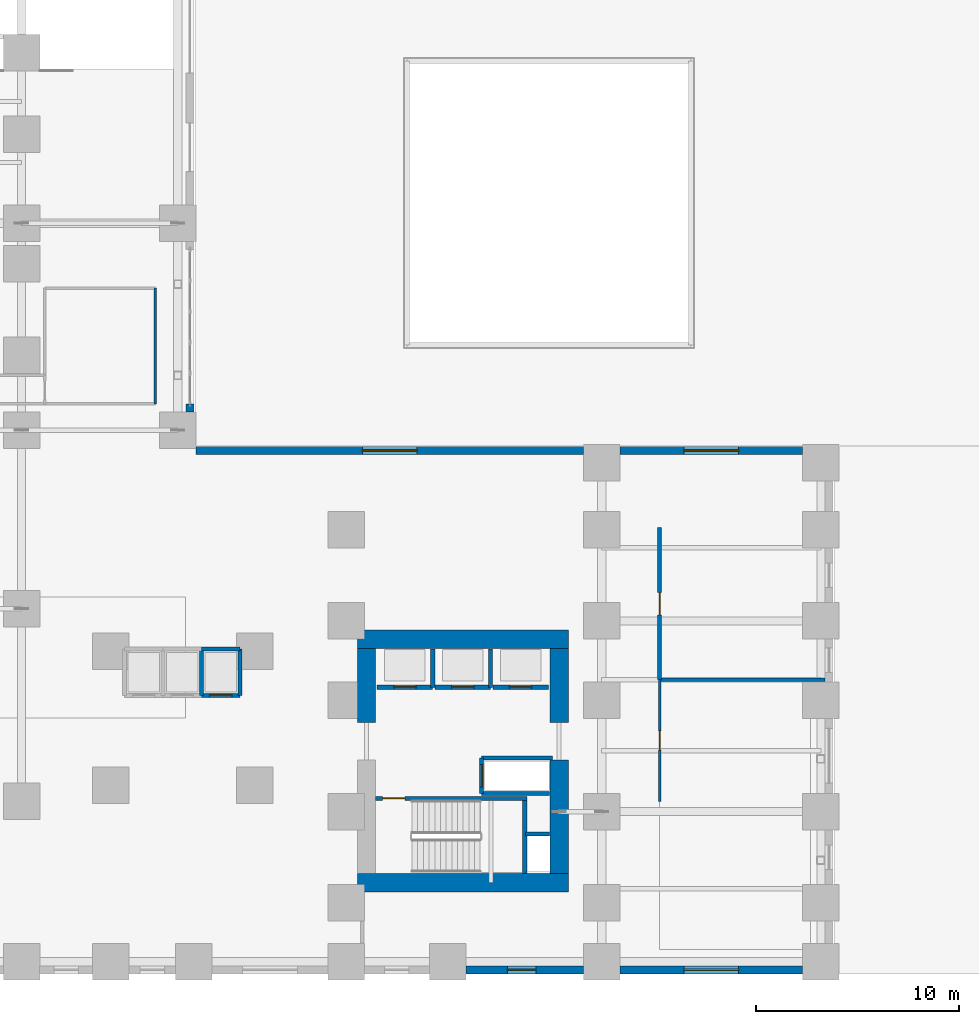
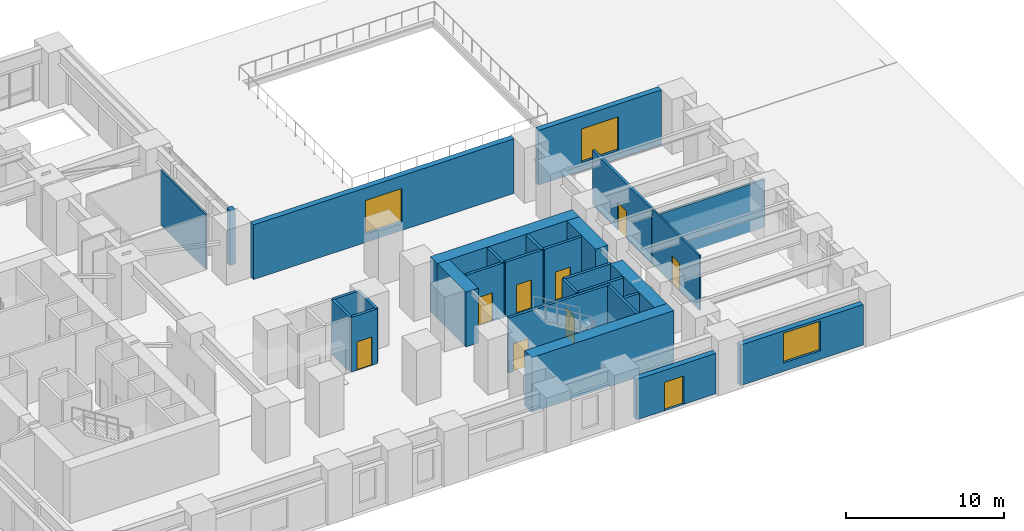
# One storey, part 15 of 23: 29 walls, 9 doors, 3 windows, 12 openings.
"""IFC4 building model written with IfcOpenShell, lengths in metres."""

from ifc_helpers import new_model, si_unit, direction, frame, frame_2d, origin, place, context, subcontext, project, spatial, rectangle, extrude, source, transform, mapped, material, layer, layer_set, type_object, element, fill, save


model = new_model("IFC4")

# Units and contexts
model_context = context("Model", 3, precision=1e-05, world=origin(), true_north=direction((0.0, 1.0)))
body_context = subcontext(model_context, "Body", "Model", "MODEL_VIEW")
ifc_project = project(units=[si_unit("LENGTHUNIT", "METRE"), si_unit("AREAUNIT", "SQUARE_METRE"), si_unit("VOLUMEUNIT", "CUBIC_METRE"), si_unit("PLANEANGLEUNIT", "RADIAN"), si_unit("MASSUNIT", "GRAM", prefix="KILO")], contexts=[model_context])

# Site, building, storey
site_placement = place(None, origin())
site = spatial("IfcSite", under=ifc_project, at=site_placement, CompositionType="ELEMENT")
building_placement = place(site_placement, origin())
building = spatial("IfcBuilding", under=site, at=building_placement, Name="Kharzan Plaza Tower", CompositionType="ELEMENT")
storey_placement = place(building_placement, origin())
storey = spatial("IfcBuildingStorey", under=building, at=storey_placement, Name="L00", CompositionType="ELEMENT", Elevation=0.0)

# Wall, opening, door
ifc_material_1 = material(Name="Concrete C40/50", Category="concrete")
ifc_layer_1 = layer(ifc_material_1, 0.179931640625)
ifc_layer_set_1 = layer_set([ifc_layer_1], Name="Concrete C40/50")
wall_type_1 = type_object("IfcWallType", Name="WL-INT-FIRE-180", PredefinedType="PARTITIONING", material=ifc_layer_set_1)
wall_1_placement = place(storey_placement, frame((50.449951171875, 14.5, 0.0), z_axis=(0.0, 0.0, 1.0), x_axis=(0.0, 1.0, 0.0)))
wall_1 = element("IfcWall", 1, at=wall_1_placement, inside=storey, type_object=wall_type_1, Name="L00 Interior Partition L00-WSEC", PredefinedType="PARTITIONING", context=body_context, shape_type="SweptSolid", body=[
    extrude(rectangle(XDim=7.5, YDim=0.179931640625, at=frame_2d((3.75, 0.0))), origin(), (0.0, 0.0, 1.0), 4.235107421875),
])
opening_1_placement = place(wall_1_placement, frame((3.199951171875, 0.0, 0.0)))
opening_1 = element("IfcOpeningElement", 2, at=opening_1_placement, cuts=wall_1, Name="Opening FD1", PredefinedType="OPENING", context=body_context, shape_type="SweptSolid", body=[
    extrude(rectangle(XDim=1.10009765625, YDim=2.14990234375, at=frame_2d((0.550048828125, 1.074951171875))), frame((0.0, 0.099853515625, 0.0), z_axis=(0.0, -1.0, 0.0), x_axis=(1.0, 0.0, 0.0)), (0.0, 0.0, 1.0), 0.199951171875),
])
ifc_material_2 = material(Name="Fire-Rated Acoustic Vision-Panel Steel", Category="steel")
door_type_1 = type_object("IfcDoorType", Name="DR-FIRE-LOBBY", OperationType="NOTDEFINED", PredefinedType="DOOR", material=ifc_material_2)
shared_shape_1 = source(origin(), body_context, "Body", "SweptSolid", [
    extrude(rectangle(XDim=1.10009765625, YDim=2.14990234375, at=frame_2d((0.550048828125, 1.074951171875))), frame((0.0, 0.02490234375, 0.0), z_axis=(0.0, -1.0, 0.0), x_axis=(1.0, 0.0, 0.0)), (0.0, 0.0, 1.0), 0.050048828125),
])
door_1_placement = place(opening_1_placement, origin())
door_1 = element("IfcDoor", 3, at=door_1_placement, inside=storey, type_object=door_type_1, Name="L00 Fire Command Center Door", OperationType="SINGLE_SWING_RIGHT", OverallHeight=2.14990234375, OverallWidth=1.10009765625, PredefinedType="DOOR", context=body_context, shape_type="MappedRepresentation", body=[
    mapped(shared_shape_1, transform((0.0, 0.0, 0.0), x_axis=(1.0, 0.0, 0.0), y_axis=(0.0, 1.0, 0.0), z_axis=(0.0, 0.0, 1.0))),
])
fill(opening_1, door_1)

ifc_material_3 = material(Name="Fire-Rated Gypsum Board Partition", Category="gypsum")
ifc_layer_2 = layer(ifc_material_3, 0.125)
ifc_layer_set_2 = layer_set([ifc_layer_2], Name="Fire-Rated Gypsum Board Partition")
wall_type_2 = type_object("IfcWallType", Name="WL-INT-PART-125", PredefinedType="PARTITIONING", material=ifc_layer_set_2)
wall_2_placement = place(storey_placement, frame((50.449951171875, 8.5, 0.0), z_axis=(0.0, 0.0, 1.0), x_axis=(0.0, 1.0, 0.0)))
wall_2 = element("IfcWall", 4, at=wall_2_placement, inside=storey, type_object=wall_type_2, Name="L00 Interior Partition L00-WRET", PredefinedType="PARTITIONING", context=body_context, shape_type="SweptSolid", body=[
    extrude(rectangle(XDim=6.0, YDim=0.125, at=frame_2d((3.0, 0.0))), origin(), (0.0, 0.0, 1.0), 4.235107421875),
])
opening_2_placement = place(wall_2_placement, frame((2.52490234375, 0.0, 0.0)))
opening_2 = element("IfcOpeningElement", 5, at=opening_2_placement, cuts=wall_2, Name="Opening OD1", PredefinedType="OPENING", context=body_context, shape_type="SweptSolid", body=[
    extrude(rectangle(XDim=0.949951171875, YDim=2.14990234375, at=frame_2d((0.47509765625, 1.074951171875))), frame((0.0, 0.072509765625, 0.0), z_axis=(0.0, -1.0, 0.0), x_axis=(1.0, 0.0, 0.0)), (0.0, 0.0, 1.0), 0.14501953125),
])
ifc_material_4 = material(Name="Acoustic Solid-Core Stained Oak", Category="timber")
door_type_2 = type_object("IfcDoorType", Name="DR-OFF-SINGLE", OperationType="NOTDEFINED", PredefinedType="DOOR", material=ifc_material_4)
shared_shape_2 = source(origin(), body_context, "Body", "SweptSolid", [
    extrude(rectangle(XDim=0.949951171875, YDim=2.14990234375, at=frame_2d((0.47509765625, 1.074951171875))), frame((0.0, 0.02490234375, 0.0), z_axis=(0.0, -1.0, 0.0), x_axis=(1.0, 0.0, 0.0)), (0.0, 0.0, 1.0), 0.050048828125),
])
door_2_placement = place(opening_2_placement, origin())
door_2 = element("IfcDoor", 6, at=door_2_placement, inside=storey, type_object=door_type_2, Name="L00 Retail Gallery Door", OperationType="SINGLE_SWING_LEFT", OverallHeight=2.14990234375, OverallWidth=0.949951171875, PredefinedType="DOOR", context=body_context, shape_type="MappedRepresentation", body=[
    mapped(shared_shape_2, transform((0.0, 0.0, 0.0), x_axis=(1.0, 0.0, 0.0), y_axis=(0.0, 1.0, 0.0), z_axis=(0.0, 0.0, 1.0))),
])
fill(opening_2, door_2)

ifc_layer_3 = layer(ifc_material_1, 0.199951171875)
ifc_layer_set_3 = layer_set([ifc_layer_3], Name="Concrete C40/50")
wall_type_3 = type_object("IfcWallType", Name="WL-INT-SHAFT-200", PredefinedType="PARTITIONING", material=ifc_layer_set_3)
wall_3_placement = place(storey_placement, frame((36.530029296875, 14.1298828125, 0.0), z_axis=(0.0, 0.0, 1.0), x_axis=(1.0, 0.0, 0.0)))
wall_3 = element("IfcWall", 7, at=wall_3_placement, inside=storey, type_object=wall_type_3, Name="L00 Interior Partition SHF-PL-L1-S", PredefinedType="PARTITIONING", context=body_context, shape_type="SweptSolid", body=[
    extrude(rectangle(XDim=2.739990234375, YDim=0.199951171875, at=frame_2d((1.3701171875, 0.0))), origin(), (0.0, 0.0, 1.0), 4.235107421875),
])
opening_3_placement = place(wall_3_placement, frame((0.820068359375, 0.0, 0.0)))
opening_3 = element("IfcOpeningElement", 8, at=opening_3_placement, cuts=wall_3, Name="Opening LD", PredefinedType="OPENING", context=body_context, shape_type="SweptSolid", body=[
    extrude(rectangle(XDim=1.10009765625, YDim=2.199951171875, at=frame_2d((0.550048828125, 1.10009765625))), frame((0.0, 0.10986328125, 0.0), z_axis=(0.0, -1.0, 0.0), x_axis=(1.0, 0.0, 0.0)), (0.0, 0.0, 1.0), 0.219970703125),
])
ifc_material_5 = material(Name="Brushed Stainless Steel", Category="steel")
door_type_3 = type_object("IfcDoorType", Name="DR-LIFT-SLIDE", OperationType="SLIDING_TO_LEFT", PredefinedType="DOOR", material=ifc_material_5)
shared_shape_3 = source(origin(), body_context, "Body", "SweptSolid", [
    extrude(rectangle(XDim=1.10009765625, YDim=2.199951171875, at=frame_2d((0.550048828125, 1.10009765625))), frame((0.0, 0.02490234375, 0.0), z_axis=(0.0, -1.0, 0.0), x_axis=(1.0, 0.0, 0.0)), (0.0, 0.0, 1.0), 0.050048828125),
])
door_3_placement = place(opening_3_placement, origin())
door_3 = element("IfcDoor", 9, at=door_3_placement, inside=storey, type_object=door_type_3, Name="L00 Low-Rise Passenger Lift PL-L1 Sliding Landing Door", OperationType="SLIDING_TO_LEFT", OverallHeight=2.199951171875, OverallWidth=1.10009765625, PredefinedType="DOOR", context=body_context, shape_type="MappedRepresentation", body=[
    mapped(shared_shape_3, transform((0.0, 0.0, 0.0), x_axis=(1.0, 0.0, 0.0), y_axis=(0.0, 1.0, 0.0), z_axis=(0.0, 0.0, 1.0))),
])
fill(opening_3, door_3)

wall_4_placement = place(storey_placement, frame((39.3798828125, 14.1298828125, 0.0), z_axis=(0.0, 0.0, 1.0), x_axis=(1.0, 0.0, 0.0)))
wall_4 = element("IfcWall", 10, at=wall_4_placement, inside=storey, type_object=wall_type_3, Name="L00 Interior Partition SHF-PL-L2-S", PredefinedType="PARTITIONING", context=body_context, shape_type="SweptSolid", body=[
    extrude(rectangle(XDim=2.740234375, YDim=0.199951171875, at=frame_2d((1.3701171875, 0.0))), origin(), (0.0, 0.0, 1.0), 4.235107421875),
])
opening_4_placement = place(wall_4_placement, frame((0.820068359375, 0.0, 0.0)))
opening_4 = element("IfcOpeningElement", 11, at=opening_4_placement, cuts=wall_4, Name="Opening LD", PredefinedType="OPENING", context=body_context, shape_type="SweptSolid", body=[
    extrude(rectangle(XDim=1.10009765625, YDim=2.199951171875, at=frame_2d((0.550048828125, 1.10009765625))), frame((0.0, 0.10986328125, 0.0), z_axis=(0.0, -1.0, 0.0), x_axis=(1.0, 0.0, 0.0)), (0.0, 0.0, 1.0), 0.219970703125),
])
door_4_placement = place(opening_4_placement, origin())
door_4 = element("IfcDoor", 12, at=door_4_placement, inside=storey, type_object=door_type_3, Name="L00 Low-Rise Passenger Lift PL-L2 Sliding Landing Door", OperationType="SLIDING_TO_LEFT", OverallHeight=2.199951171875, OverallWidth=1.10009765625, PredefinedType="DOOR", context=body_context, shape_type="MappedRepresentation", body=[
    mapped(shared_shape_3, transform((0.0, 0.0, 0.0), x_axis=(1.0, 0.0, 0.0), y_axis=(0.0, 1.0, 0.0), z_axis=(0.0, 0.0, 1.0))),
])
fill(opening_4, door_4)

wall_5_placement = place(storey_placement, frame((42.22998046875, 14.1298828125, 0.0), z_axis=(0.0, 0.0, 1.0), x_axis=(1.0, 0.0, 0.0)))
wall_5 = element("IfcWall", 13, at=wall_5_placement, inside=storey, type_object=wall_type_3, Name="L00 Interior Partition SHF-PL-L3-S", PredefinedType="PARTITIONING", context=body_context, shape_type="SweptSolid", body=[
    extrude(rectangle(XDim=2.739990234375, YDim=0.199951171875, at=frame_2d((1.3701171875, 0.0))), origin(), (0.0, 0.0, 1.0), 4.235107421875),
])
opening_5_placement = place(wall_5_placement, frame((0.820068359375, 0.0, 0.0)))
opening_5 = element("IfcOpeningElement", 14, at=opening_5_placement, cuts=wall_5, Name="Opening LD", PredefinedType="OPENING", context=body_context, shape_type="SweptSolid", body=[
    extrude(rectangle(XDim=1.10009765625, YDim=2.199951171875, at=frame_2d((0.550048828125, 1.10009765625))), frame((0.0, 0.10986328125, 0.0), z_axis=(0.0, -1.0, 0.0), x_axis=(1.0, 0.0, 0.0)), (0.0, 0.0, 1.0), 0.219970703125),
])
door_5_placement = place(opening_5_placement, origin())
door_5 = element("IfcDoor", 15, at=door_5_placement, inside=storey, type_object=door_type_3, Name="L00 Low-Rise Passenger Lift PL-L3 Sliding Landing Door", OperationType="SLIDING_TO_LEFT", OverallHeight=2.199951171875, OverallWidth=1.10009765625, PredefinedType="DOOR", context=body_context, shape_type="MappedRepresentation", body=[
    mapped(shared_shape_3, transform((0.0, 0.0, 0.0), x_axis=(1.0, 0.0, 0.0), y_axis=(0.0, 1.0, 0.0), z_axis=(0.0, 0.0, 1.0))),
])
fill(opening_5, door_5)

wall_6_placement = place(storey_placement, frame((27.8798828125, 13.72998046875, 0.0), z_axis=(0.0, 0.0, 1.0), x_axis=(1.0, 0.0, 0.0)))
wall_6 = element("IfcWall", 16, at=wall_6_placement, inside=storey, type_object=wall_type_3, Name="L00 Interior Partition SHF-PL-M3-S", PredefinedType="PARTITIONING", context=body_context, shape_type="SweptSolid", body=[
    extrude(rectangle(XDim=1.89013671875, YDim=0.199951171875, at=frame_2d((0.945068359375, 0.0))), origin(), (0.0, 0.0, 1.0), 4.235107421875),
])
opening_6_placement = place(wall_6_placement, frame((0.39501953125, 0.0, 0.0)))
opening_6 = element("IfcOpeningElement", 17, at=opening_6_placement, cuts=wall_6, Name="Opening LD", PredefinedType="OPENING", context=body_context, shape_type="SweptSolid", body=[
    extrude(rectangle(XDim=1.10009765625, YDim=2.199951171875, at=frame_2d((0.550048828125, 1.10009765625))), frame((0.0, 0.10986328125, 0.0), z_axis=(0.0, -1.0, 0.0), x_axis=(1.0, 0.0, 0.0)), (0.0, 0.0, 1.0), 0.219970703125),
])
door_6_placement = place(opening_6_placement, origin())
door_6 = element("IfcDoor", 18, at=door_6_placement, inside=storey, type_object=door_type_3, Name="L00 Mid-Rise Passenger Lift PL-M3 Sliding Landing Door", OperationType="SLIDING_TO_LEFT", OverallHeight=2.199951171875, OverallWidth=1.10009765625, PredefinedType="DOOR", context=body_context, shape_type="MappedRepresentation", body=[
    mapped(shared_shape_3, transform((0.0, 0.0, 0.0), x_axis=(1.0, 0.0, 0.0), y_axis=(0.0, 1.0, 0.0), z_axis=(0.0, 0.0, 1.0))),
])
fill(opening_6, door_6)

wall_7_placement = place(storey_placement, frame((41.679931640625, 8.89990234375, 0.0), z_axis=(0.0, 0.0, 1.0), x_axis=(0.0, 1.0, 0.0)))
wall_7 = element("IfcWall", 19, at=wall_7_placement, inside=storey, type_object=wall_type_3, Name="L00 Interior Partition SHF-SVL-2-W", PredefinedType="PARTITIONING", context=body_context, shape_type="SweptSolid", body=[
    extrude(rectangle(XDim=1.739990234375, YDim=0.199951171875, at=frame_2d((0.8701171875, 0.0))), origin(), (0.0, 0.0, 1.0), 4.235107421875),
])
opening_7_placement = place(wall_7_placement, frame((0.320068359375, 0.0, 0.0)))
opening_7 = element("IfcOpeningElement", 20, at=opening_7_placement, cuts=wall_7, Name="Opening LD", PredefinedType="OPENING", context=body_context, shape_type="SweptSolid", body=[
    extrude(rectangle(XDim=1.10009765625, YDim=2.199951171875, at=frame_2d((0.550048828125, 1.10009765625))), frame((0.0, 0.10986328125, 0.0), z_axis=(0.0, -1.0, 0.0), x_axis=(1.0, 0.0, 0.0)), (0.0, 0.0, 1.0), 0.219970703125),
])
door_7_placement = place(opening_7_placement, origin())
door_7 = element("IfcDoor", 21, at=door_7_placement, inside=storey, type_object=door_type_3, Name="L00 Service Lift SVL-2 Sliding Landing Door", OperationType="SLIDING_TO_LEFT", OverallHeight=2.199951171875, OverallWidth=1.10009765625, PredefinedType="DOOR", context=body_context, shape_type="MappedRepresentation", body=[
    mapped(shared_shape_3, transform((0.0, 0.0, 0.0), x_axis=(1.0, 0.0, 0.0), y_axis=(0.0, 1.0, 0.0), z_axis=(0.0, 0.0, 1.0))),
])
fill(opening_7, door_7)

# Wall, opening, window
ifc_layer_4 = layer(ifc_material_1, 0.39990234375)
ifc_layer_set_4 = layer_set([ifc_layer_4], Name="Concrete C40/50")
wall_type_4 = type_object("IfcWallType", Name="WL-POD-MAS-400", PredefinedType="SOLIDWALL", material=ifc_layer_set_4)
wall_8_placement = place(storey_placement, frame((57.501953125, 25.800048828125, 0.0), z_axis=(0.0, 0.0, 1.0), x_axis=(-1.0, 0.0, 0.0)))
wall_8 = element("IfcWall", 22, at=wall_8_placement, inside=storey, type_object=wall_type_4, Name="L00 Masonry-Frame Exterior Wall 01", PredefinedType="SOLIDWALL", context=body_context, shape_type="SweptSolid", body=[
    extrude(rectangle(XDim=9.00390625, YDim=0.39990234375, at=frame_2d((4.501953125, 0.0))), origin(), (0.0, 0.0, 1.0), 4.235107421875),
])
opening_8_placement = place(wall_8_placement, frame((3.152099609375, 0.0, 0.64990234375)))
opening_8 = element("IfcOpeningElement", 23, at=opening_8_placement, cuts=wall_8, Name="Opening W4", PredefinedType="OPENING", context=body_context, shape_type="SweptSolid", body=[
    extrude(rectangle(XDim=2.699951171875, YDim=2.60009765625, at=frame_2d((1.35009765625, 1.300048828125))), frame((0.0, 0.2099609375, 0.0), z_axis=(0.0, -1.0, 0.0), x_axis=(1.0, 0.0, 0.0)), (0.0, 0.0, 1.0), 0.419921875),
])
ifc_material_6 = material(Name="Low-E Double Glazing", Category="glass")
window_type = type_object("IfcWindowType", Name="WN-POD-2700x2600", PartitioningType="SINGLE_PANEL", PredefinedType="WINDOW", material=ifc_material_6)
shared_shape_4 = source(origin(), body_context, "Body", "SweptSolid", [
    extrude(rectangle(XDim=2.699951171875, YDim=2.60009765625, at=frame_2d((1.35009765625, 1.300048828125))), frame((0.0, 0.030029296875, 0.0), z_axis=(0.0, -1.0, 0.0), x_axis=(1.0, 0.0, 0.0)), (0.0, 0.0, 1.0), 0.06005859375),
])
window_1_placement = place(opening_8_placement, origin())
window_1 = element("IfcWindow", 24, at=window_1_placement, inside=storey, type_object=window_type, Name="L00 Recessed Solar-Control Window 01-1", OverallHeight=2.60009765625, OverallWidth=2.699951171875, PartitioningType="SINGLE_PANEL", PredefinedType="WINDOW", context=body_context, shape_type="MappedRepresentation", body=[
    mapped(shared_shape_4, transform((0.0, 0.0, 0.0), x_axis=(1.0, 0.0, 0.0), y_axis=(0.0, 1.0, 0.0), z_axis=(0.0, 0.0, 1.0))),
])
fill(opening_8, window_1)

wall_9_placement = place(storey_placement, frame((46.701904296875, 25.800048828125, 0.0), z_axis=(0.0, 0.0, 1.0), x_axis=(-1.0, 0.0, 0.0)))
wall_9 = element("IfcWall", 25, at=wall_9_placement, inside=storey, type_object=wall_type_4, Name="L00 Masonry-Frame Exterior Wall 02", PredefinedType="SOLIDWALL", context=body_context, shape_type="SweptSolid", body=[
    extrude(rectangle(XDim=19.10400390625, YDim=0.39990234375, at=frame_2d((9.552001953125, 0.0))), origin(), (0.0, 0.0, 1.0), 4.235107421875),
])
opening_9_placement = place(wall_9_placement, frame((8.201904296875, 0.0, 0.64990234375)))
opening_9 = element("IfcOpeningElement", 26, at=opening_9_placement, cuts=wall_9, Name="Opening W4", PredefinedType="OPENING", context=body_context, shape_type="SweptSolid", body=[
    extrude(rectangle(XDim=2.699951171875, YDim=2.60009765625, at=frame_2d((1.35009765625, 1.300048828125))), frame((0.0, 0.2099609375, 0.0), z_axis=(0.0, -1.0, 0.0), x_axis=(1.0, 0.0, 0.0)), (0.0, 0.0, 1.0), 0.419921875),
])
window_2_placement = place(opening_9_placement, origin())
window_2 = element("IfcWindow", 27, at=window_2_placement, inside=storey, type_object=window_type, Name="L00 Recessed Solar-Control Window 02-1", OverallHeight=2.60009765625, OverallWidth=2.699951171875, PartitioningType="SINGLE_PANEL", PredefinedType="WINDOW", context=body_context, shape_type="MappedRepresentation", body=[
    mapped(shared_shape_4, transform((0.0, 0.0, 0.0), x_axis=(1.0, 0.0, 0.0), y_axis=(0.0, 1.0, 0.0), z_axis=(0.0, 0.0, 1.0))),
])
fill(opening_9, window_2)

# Wall, opening, door
wall_10_placement = place(storey_placement, frame((40.89794921875, 0.199951171875, 0.0), z_axis=(0.0, 0.0, 1.0), x_axis=(1.0, 0.0, 0.0)))
wall_10 = element("IfcWall", 28, at=wall_10_placement, inside=storey, type_object=wall_type_4, Name="L00 Masonry-Frame Exterior Wall 22", PredefinedType="SOLIDWALL", context=body_context, shape_type="SweptSolid", body=[
    extrude(rectangle(XDim=5.803955078125, YDim=0.39990234375, at=frame_2d((2.90185546875, 0.0))), origin(), (0.0, 0.0, 1.0), 3.135009765625),
])
opening_10_placement = place(wall_10_placement, frame((2.052001953125, 0.0, 0.0)))
opening_10 = element("IfcOpeningElement", 29, at=opening_10_placement, cuts=wall_10, Name="Opening ED4", PredefinedType="OPENING", context=body_context, shape_type="SweptSolid", body=[
    extrude(rectangle(XDim=1.39990234375, YDim=2.199951171875, at=frame_2d((0.699951171875, 1.10009765625))), frame((0.0, 0.2099609375, 0.0), z_axis=(0.0, -1.0, 0.0), x_axis=(1.0, 0.0, 0.0)), (0.0, 0.0, 1.0), 0.419921875),
])
ifc_material_7 = material(Name="Galvanized Acoustic Hollow Steel", Category="steel")
door_type_4 = type_object("IfcDoorType", Name="DR-EXT-EXIT-1400", OperationType="SINGLE_SWING_RIGHT", PredefinedType="DOOR", material=ifc_material_7)
shared_shape_5 = source(origin(), body_context, "Body", "SweptSolid", [
    extrude(rectangle(XDim=1.39990234375, YDim=2.199951171875, at=frame_2d((0.699951171875, 1.10009765625))), frame((0.0, 0.02490234375, 0.0), z_axis=(0.0, -1.0, 0.0), x_axis=(1.0, 0.0, 0.0)), (0.0, 0.0, 1.0), 0.050048828125),
])
door_8_placement = place(opening_10_placement, frame((1.39990234375, 0.0, 0.0), z_axis=(0.0, 0.0, 1.0), x_axis=(-1.0, 0.0, 0.0)))
door_8 = element("IfcDoor", 30, at=door_8_placement, inside=storey, type_object=door_type_4, Name="L00 Stair ST-3 Protected South Final Exit Door", OperationType="SINGLE_SWING_RIGHT", OverallHeight=2.199951171875, OverallWidth=1.39990234375, PredefinedType="DOOR", context=body_context, shape_type="MappedRepresentation", body=[
    mapped(shared_shape_5, transform((0.0, 0.0, 0.0), x_axis=(1.0, 0.0, 0.0), y_axis=(0.0, 1.0, 0.0), z_axis=(0.0, 0.0, 1.0))),
])
fill(opening_10, door_8)

# Wall, opening, window
wall_11_placement = place(storey_placement, frame((48.498046875, 0.199951171875, 0.0), z_axis=(0.0, 0.0, 1.0), x_axis=(1.0, 0.0, 0.0)))
wall_11 = element("IfcWall", 31, at=wall_11_placement, inside=storey, type_object=wall_type_4, Name="L00 Masonry-Frame Exterior Wall 23", PredefinedType="SOLIDWALL", context=body_context, shape_type="SweptSolid", body=[
    extrude(rectangle(XDim=9.00390625, YDim=0.39990234375, at=frame_2d((4.501953125, 0.0))), origin(), (0.0, 0.0, 1.0), 3.135009765625),
])
opening_11_placement = place(wall_11_placement, frame((3.152099609375, 0.0, 0.64990234375)))
opening_11 = element("IfcOpeningElement", 32, at=opening_11_placement, cuts=wall_11, Name="Opening W4", PredefinedType="OPENING", context=body_context, shape_type="SweptSolid", body=[
    extrude(rectangle(XDim=2.699951171875, YDim=2.304931640625, at=frame_2d((1.35009765625, 1.15234375))), frame((0.0, 0.2099609375, 0.0), z_axis=(0.0, -1.0, 0.0), x_axis=(1.0, 0.0, 0.0)), (0.0, 0.0, 1.0), 0.419921875),
])
shared_shape_6 = source(origin(), body_context, "Body", "SweptSolid", [
    extrude(rectangle(XDim=2.699951171875, YDim=2.304931640625, at=frame_2d((1.35009765625, 1.15234375))), frame((0.0, 0.030029296875, 0.0), z_axis=(0.0, -1.0, 0.0), x_axis=(1.0, 0.0, 0.0)), (0.0, 0.0, 1.0), 0.06005859375),
])
window_3_placement = place(opening_11_placement, origin())
window_3 = element("IfcWindow", 33, at=window_3_placement, inside=storey, type_object=window_type, Name="L00 Recessed Solar-Control Window 23-1", OverallHeight=2.304931640625, OverallWidth=2.699951171875, PartitioningType="SINGLE_PANEL", PredefinedType="WINDOW", context=body_context, shape_type="MappedRepresentation", body=[
    mapped(shared_shape_6, transform((0.0, 0.0, 0.0), x_axis=(1.0, 0.0, 0.0), y_axis=(0.0, 1.0, 0.0), z_axis=(0.0, 0.0, 1.0))),
])
fill(opening_11, window_3)

# Wall, opening, door
ifc_material_8 = material(Name="Concrete C50/60", Category="concrete")
ifc_layer_5 = layer(ifc_material_8, 0.199951171875)
ifc_layer_set_5 = layer_set([ifc_layer_5], Name="Concrete C50/60")
wall_type_5 = type_object("IfcWallType", Name="WL-SHAFT-RC200", PredefinedType="SHEAR", material=ifc_layer_set_5)
wall_12_placement = place(storey_placement, frame((36.451904296875, 8.655029296875, 0.0), z_axis=(0.0, 0.0, 1.0), x_axis=(1.0, 0.0, 0.0)))
wall_12 = element("IfcWall", 34, at=wall_12_placement, inside=storey, type_object=wall_type_5, Name="L00 Stair ST-3 North RC Shaft Wall", PredefinedType="SHEAR", context=body_context, shape_type="SweptSolid", body=[
    extrude(rectangle(XDim=7.453125, YDim=0.199951171875, at=frame_2d((3.7265625, 0.0))), origin(), (0.0, 0.0, 1.0), 4.25),
])
opening_12_placement = place(wall_12_placement, frame((0.35009765625, 0.0, 0.0)))
opening_12 = element("IfcOpeningElement", 35, at=opening_12_placement, cuts=wall_12, Name="Opening SD1", PredefinedType="OPENING", context=body_context, shape_type="SweptSolid", body=[
    extrude(rectangle(XDim=1.10009765625, YDim=2.14990234375, at=frame_2d((0.550048828125, 1.074951171875))), frame((0.0, 0.10986328125, 0.0), z_axis=(0.0, -1.0, 0.0), x_axis=(1.0, 0.0, 0.0)), (0.0, 0.0, 1.0), 0.219970703125),
])
ifc_material_9 = material(Name="Fire-Rated Hollow Galvanized Steel", Category="steel")
door_type_5 = type_object("IfcDoorType", Name="DR-STAIR-FD120", OperationType="NOTDEFINED", PredefinedType="DOOR", material=ifc_material_9)
shared_shape_7 = source(origin(), body_context, "Body", "SweptSolid", [
    extrude(rectangle(XDim=1.10009765625, YDim=2.14990234375, at=frame_2d((0.550048828125, 1.074951171875))), frame((0.0, 0.02490234375, 0.0), z_axis=(0.0, -1.0, 0.0), x_axis=(1.0, 0.0, 0.0)), (0.0, 0.0, 1.0), 0.050048828125),
])
door_9_placement = place(opening_12_placement, origin())
door_9 = element("IfcDoor", 36, at=door_9_placement, inside=storey, type_object=door_type_5, Name="L00 Stair ST-3 Fire Exit Door", OperationType="SINGLE_SWING_RIGHT", OverallHeight=2.14990234375, OverallWidth=1.10009765625, PredefinedType="DOOR", context=body_context, shape_type="MappedRepresentation", body=[
    mapped(shared_shape_7, transform((0.0, 0.0, 0.0), x_axis=(1.0, 0.0, 0.0), y_axis=(0.0, 1.0, 0.0), z_axis=(0.0, 0.0, 1.0))),
])
fill(opening_12, door_9)

# Walls
ifc_material_10 = material(Name="Concrete C60/75", Category="concrete")
ifc_layer_6 = layer(ifc_material_10, 0.89990234375)
ifc_layer_set_6 = layer_set([ifc_layer_6], Name="Concrete C60/75")
wall_type_6 = type_object("IfcWallType", Name="WL-CORE-900", PredefinedType="SHEAR", material=ifc_layer_set_6)
shared_shape_8 = source(origin(), body_context, "Body", "SweptSolid", [
    extrude(rectangle(XDim=5.60009765625, YDim=0.89990234375, at=frame_2d((2.800048828125, 0.0))), origin(), (0.0, 0.0, 1.0), 4.25),
])
wall_13_placement = place(storey_placement, frame((45.5, 4.949951171875, 0.0), z_axis=(0.0, 0.0, 1.0), x_axis=(0.0, 1.0, 0.0)))
element("IfcWall", 37, at=wall_13_placement, inside=storey, type_object=wall_type_6, Name="L00 CORE-B east shear pier 1", PredefinedType="SHEAR", context=body_context, shape_type="MappedRepresentation", body=[
    mapped(shared_shape_8, transform((0.0, 0.0, 0.0), x_axis=(1.0, 0.0, 0.0), y_axis=(0.0, 1.0, 0.0), z_axis=(0.0, 0.0, 1.0))),
])
shared_shape_9 = source(origin(), body_context, "Body", "SweptSolid", [
    extrude(rectangle(XDim=3.650146484375, YDim=0.89990234375, at=frame_2d((1.8251953125, 0.0))), origin(), (0.0, 0.0, 1.0), 4.25),
])
for number, where, z_axis, x_axis, name in (
    (38, (45.5, 12.39990234375, 0.0), (0.0, 0.0, 1.0), (0.0, 1.0, 0.0), "L00 CORE-B east shear pier 2"),
    (39, (36.0, 12.39990234375, 0.0), (0.0, 0.0, 1.0), (0.0, 1.0, 0.0), "L00 CORE-B west shear pier 2"),
):
    element("IfcWall", number, at=place(storey_placement, frame(where, z_axis=z_axis, x_axis=x_axis)), inside=storey, type_object=wall_type_6, Name=name, PredefinedType="SHEAR", context=body_context, shape_type="MappedRepresentation", body=[
        mapped(shared_shape_9, transform((0.0, 0.0, 0.0), x_axis=(1.0, 0.0, 0.0), y_axis=(0.0, 1.0, 0.0), z_axis=(0.0, 0.0, 1.0))),
    ])
shared_shape_10 = source(origin(), body_context, "Body", "SweptSolid", [
    extrude(rectangle(XDim=10.39990234375, YDim=0.89990234375, at=frame_2d((5.199951171875, 0.0))), origin(), (0.0, 0.0, 1.0), 4.25),
])
for number, where, z_axis, x_axis, name in (
    (40, (35.550048828125, 16.5, 0.0), (0.0, 0.0, 1.0), (1.0, 0.0, 0.0), "L00 CORE-B north RC shear wall"),
    (41, (35.550048828125, 4.5, 0.0), (0.0, 0.0, 1.0), (1.0, 0.0, 0.0), "L00 CORE-B south RC shear wall"),
):
    element("IfcWall", number, at=place(storey_placement, frame(where, z_axis=z_axis, x_axis=x_axis)), inside=storey, type_object=wall_type_6, Name=name, PredefinedType="SHEAR", context=body_context, shape_type="MappedRepresentation", body=[
        mapped(shared_shape_10, transform((0.0, 0.0, 0.0), x_axis=(1.0, 0.0, 0.0), y_axis=(0.0, 1.0, 0.0), z_axis=(0.0, 0.0, 1.0))),
    ])
shared_shape_11 = source(origin(), body_context, "Body", "SweptSolid", [
    extrude(rectangle(XDim=0.402099609375, YDim=0.39990234375, at=frame_2d((0.201171875, 0.0))), origin(), (0.0, 0.0, 1.0), 4.235107421875),
])
wall_14_placement = place(storey_placement, frame((27.300048828125, 27.697998046875, 0.0), z_axis=(0.0, 0.0, 1.0), x_axis=(0.0, 1.0, 0.0)))
element("IfcWall", 42, at=wall_14_placement, inside=storey, type_object=wall_type_4, Name="L00 Masonry-Frame Exterior Wall 03", PredefinedType="SOLIDWALL", context=body_context, shape_type="MappedRepresentation", body=[
    mapped(shared_shape_11, transform((0.0, 0.0, 0.0), x_axis=(1.0, 0.0, 0.0), y_axis=(0.0, 1.0, 0.0), z_axis=(0.0, 0.0, 1.0))),
])
shared_shape_12 = source(origin(), body_context, "Body", "SweptSolid", [
    extrude(rectangle(XDim=8.14794921875, YDim=0.179931640625, at=frame_2d((4.073974609375, 0.0))), origin(), (0.0, 0.0, 1.0), 3.68603515625),
])
wall_15_placement = place(storey_placement, frame((50.449951171875, 14.5, 0.0), z_axis=(0.0, 0.0, 1.0), x_axis=(1.0, 0.0, 0.0)))
element("IfcWall", 43, at=wall_15_placement, inside=storey, type_object=wall_type_1, Name="L00 Interior Partition L00-W1M", PredefinedType="PARTITIONING", context=body_context, shape_type="MappedRepresentation", body=[
    mapped(shared_shape_12, transform((0.0, 0.0, 0.0), x_axis=(1.0, 0.0, 0.0), y_axis=(0.0, 1.0, 0.0), z_axis=(0.0, 0.0, 1.0))),
])
shared_shape_13 = source(origin(), body_context, "Body", "SweptSolid", [
    extrude(rectangle(XDim=5.699951171875, YDim=0.125, at=frame_2d((2.85009765625, 0.0))), origin(), (0.0, 0.0, 1.0), 4.235107421875),
])
wall_16_placement = place(storey_placement, frame((25.60009765625, 28.10009765625, 0.0), z_axis=(0.0, 0.0, 1.0), x_axis=(0.0, 1.0, 0.0)))
element("IfcWall", 44, at=wall_16_placement, inside=storey, type_object=wall_type_2, Name="L00 Interior Partition L00-WCPE", PredefinedType="PARTITIONING", context=body_context, shape_type="MappedRepresentation", body=[
    mapped(shared_shape_13, transform((0.0, 0.0, 0.0), x_axis=(1.0, 0.0, 0.0), y_axis=(0.0, 1.0, 0.0), z_axis=(0.0, 0.0, 1.0))),
])
shared_shape_14 = source(origin(), body_context, "Body", "SweptSolid", [
    extrude(rectangle(XDim=1.169921875, YDim=0.199951171875, at=frame_2d((0.5849609375, 0.0))), origin(), (0.0, 0.0, 1.0), 4.235107421875),
])
wall_17_placement = place(storey_placement, frame((43.85009765625, 6.89990234375, 0.0), z_axis=(0.0, 0.0, 1.0), x_axis=(1.0, 0.0, 0.0)))
element("IfcWall", 45, at=wall_17_placement, inside=storey, type_object=wall_type_3, Name="L00 Interior Partition CB-RSRB-N", PredefinedType="PARTITIONING", context=body_context, shape_type="MappedRepresentation", body=[
    mapped(shared_shape_14, transform((0.0, 0.0, 0.0), x_axis=(1.0, 0.0, 0.0), y_axis=(0.0, 1.0, 0.0), z_axis=(0.0, 0.0, 1.0))),
])
shared_shape_15 = source(origin(), body_context, "Body", "SweptSolid", [
    extrude(rectangle(XDim=1.89013671875, YDim=0.199951171875, at=frame_2d((0.945068359375, 0.0))), origin(), (0.0, 0.0, 1.0), 4.235107421875),
])
for number, where, z_axis, x_axis, name in (
    (46, (39.27001953125, 14.1298828125, 0.0), (0.0, 0.0, 1.0), (0.0, 1.0, 0.0), "L00 Interior Partition SHF-PL-L1-E"),
    (47, (42.1201171875, 14.1298828125, 0.0), (0.0, 0.0, 1.0), (0.0, 1.0, 0.0), "L00 Interior Partition SHF-PL-L2-E"),
    (48, (27.8798828125, 16.02001953125, 0.0), (0.0, 0.0, 1.0), (1.0, 0.0, 0.0), "L00 Interior Partition SHF-PL-M3-N"),
):
    element("IfcWall", number, at=place(storey_placement, frame(where, z_axis=z_axis, x_axis=x_axis)), inside=storey, type_object=wall_type_3, Name=name, PredefinedType="PARTITIONING", context=body_context, shape_type="MappedRepresentation", body=[
        mapped(shared_shape_15, transform((0.0, 0.0, 0.0), x_axis=(1.0, 0.0, 0.0), y_axis=(0.0, 1.0, 0.0), z_axis=(0.0, 0.0, 1.0))),
    ])
shared_shape_16 = source(origin(), body_context, "Body", "SweptSolid", [
    extrude(rectangle(XDim=2.2900390625, YDim=0.199951171875, at=frame_2d((1.14501953125, 0.0))), origin(), (0.0, 0.0, 1.0), 4.235107421875),
])
for number, where, z_axis, x_axis, name in (
    (49, (27.8701171875, 13.72998046875, 0.0), (0.0, 0.0, 1.0), (0.0, 1.0, 0.0), "L00 Interior Partition SHF-PL-M2-E"),
    (50, (29.77001953125, 13.72998046875, 0.0), (0.0, 0.0, 1.0), (0.0, 1.0, 0.0), "L00 Interior Partition SHF-PL-M3-E"),
):
    element("IfcWall", number, at=place(storey_placement, frame(where, z_axis=z_axis, x_axis=x_axis)), inside=storey, type_object=wall_type_3, Name=name, PredefinedType="PARTITIONING", context=body_context, shape_type="MappedRepresentation", body=[
        mapped(shared_shape_16, transform((0.0, 0.0, 0.0), x_axis=(1.0, 0.0, 0.0), y_axis=(0.0, 1.0, 0.0), z_axis=(0.0, 0.0, 1.0))),
    ])
shared_shape_17 = source(origin(), body_context, "Body", "SweptSolid", [
    extrude(rectangle(XDim=3.489990234375, YDim=0.199951171875, at=frame_2d((1.7451171875, 0.0))), origin(), (0.0, 0.0, 1.0), 4.235107421875),
])
wall_18_placement = place(storey_placement, frame((41.679931640625, 10.639892578125, 0.0), z_axis=(0.0, 0.0, 1.0), x_axis=(1.0, 0.0, 0.0)))
element("IfcWall", 51, at=wall_18_placement, inside=storey, type_object=wall_type_3, Name="L00 Interior Partition SHF-SVL-2-N", PredefinedType="PARTITIONING", context=body_context, shape_type="MappedRepresentation", body=[
    mapped(shared_shape_17, transform((0.0, 0.0, 0.0), x_axis=(1.0, 0.0, 0.0), y_axis=(0.0, 1.0, 0.0), z_axis=(0.0, 0.0, 1.0))),
])
shared_shape_18 = source(origin(), body_context, "Body", "SweptSolid", [
    extrude(rectangle(XDim=3.340087890625, YDim=0.199951171875, at=frame_2d((1.669921875, 0.0))), origin(), (0.0, 0.0, 1.0), 4.235107421875),
])
wall_19_placement = place(storey_placement, frame((41.679931640625, 8.89990234375, 0.0), z_axis=(0.0, 0.0, 1.0), x_axis=(1.0, 0.0, 0.0)))
element("IfcWall", 52, at=wall_19_placement, inside=storey, type_object=wall_type_3, Name="L00 Interior Partition SHF-SVL-2-S", PredefinedType="PARTITIONING", context=body_context, shape_type="MappedRepresentation", body=[
    mapped(shared_shape_18, transform((0.0, 0.0, 0.0), x_axis=(1.0, 0.0, 0.0), y_axis=(0.0, 1.0, 0.0), z_axis=(0.0, 0.0, 1.0))),
])
shared_shape_19 = source(origin(), body_context, "Body", "SweptSolid", [
    extrude(rectangle(XDim=3.60302734375, YDim=0.199951171875, at=frame_2d((1.801513671875, 0.0))), origin(), (0.0, 0.0, 1.0), 4.25),
])
wall_20_placement = place(storey_placement, frame((43.804931640625, 4.951904296875, 0.0), z_axis=(0.0, 0.0, 1.0), x_axis=(0.0, 1.0, 0.0)))
element("IfcWall", 53, at=wall_20_placement, inside=storey, type_object=wall_type_5, Name="L00 Stair ST-3 East RC Shaft Wall", PredefinedType="SHEAR", context=body_context, shape_type="MappedRepresentation", body=[
    mapped(shared_shape_19, transform((0.0, 0.0, 0.0), x_axis=(1.0, 0.0, 0.0), y_axis=(0.0, 1.0, 0.0), z_axis=(0.0, 0.0, 1.0))),
])

save(model, "model.ifc")
